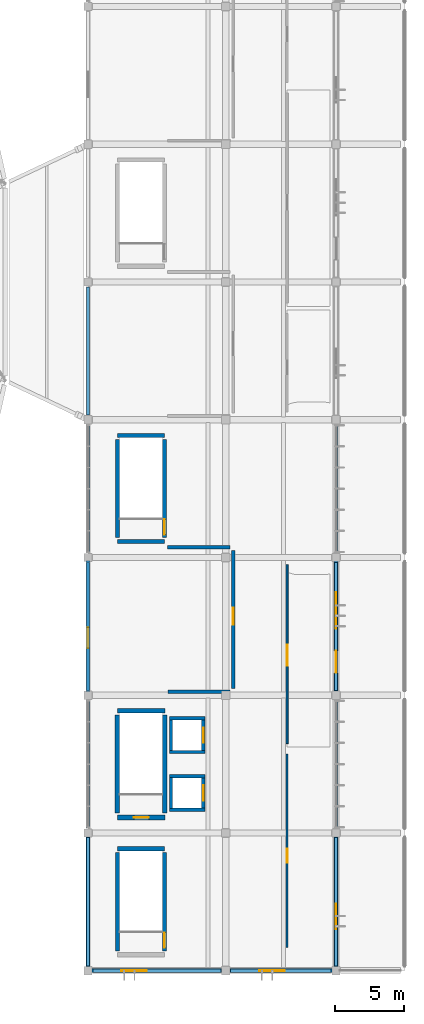
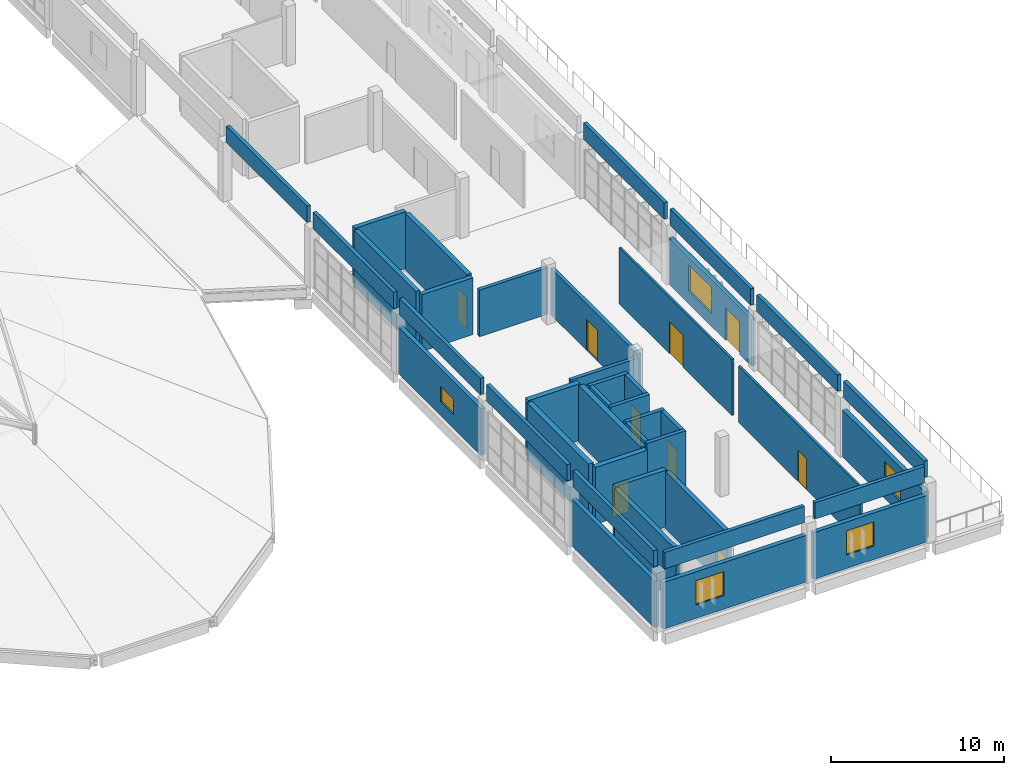
# One storey, part 31 of 39: 41 walls, 9 doors, 5 windows, 14 openings.
"""IFC4 building model written with IfcOpenShell, lengths in metres."""

from ifc_helpers import new_model, si_unit, direction, frame, frame_2d, origin, place, context, subcontext, project, spatial, rectangle, extrude, material, layer, layer_set, type_object, element, fill, save


model = new_model("IFC4")

# Units and contexts
model_context = context("Model", 3, precision=1e-05, world=origin(), true_north=direction((0.0, 1.0)))
body_context = subcontext(model_context, "Body", "Model", "MODEL_VIEW")
ifc_project = project(units=[si_unit("LENGTHUNIT", "METRE"), si_unit("AREAUNIT", "SQUARE_METRE"), si_unit("VOLUMEUNIT", "CUBIC_METRE"), si_unit("PLANEANGLEUNIT", "RADIAN"), si_unit("MASSUNIT", "GRAM", prefix="KILO")], contexts=[model_context])

# Site, building, storey
site_placement = place(None, origin())
site = spatial("IfcSite", under=ifc_project, at=site_placement, CompositionType="ELEMENT")
building_placement = place(site_placement, origin())
building = spatial("IfcBuilding", under=site, at=building_placement, Name="Corvandel Quay Wholesale Market", CompositionType="ELEMENT")
storey_placement = place(building_placement, frame((0.0, 0.0, 15.0)))
storey = spatial("IfcBuildingStorey", under=building, at=storey_placement, Name="L03", CompositionType="ELEMENT", Elevation=15.0)

# Wall, opening, window
ifc_material_1 = material(Name="Buff-pigmented precast concrete C45/55", Category="concrete")
ifc_layer_1 = layer(ifc_material_1, 0.280029296875)
ifc_layer_set_1 = layer_set([ifc_layer_1], Name="Buff-pigmented precast concrete C45/55")
wall_type_1 = type_object("IfcWallType", Name="Colonnade Spandrel Precast Wall EW07 280", PredefinedType="SOLIDWALL", material=ifc_layer_set_1)
wall_1_placement = place(storey_placement, frame((238.0, 10.219970703125, 0.0), z_axis=(0.0, 0.0, 1.0), x_axis=(0.0, 1.0, 0.0)))
wall_1 = element("IfcWall", 1, at=wall_1_placement, inside=storey, type_object=wall_type_1, Name="Exterior Wall EW-0382", PredefinedType="SOLIDWALL", context=body_context, shape_type="SweptSolid", body=[
    extrude(rectangle(XDim=9.56005859375, YDim=0.280029296875, at=frame_2d((4.780029296875, 0.0))), origin(), (0.0, 0.0, 1.0), 3.280029296875),
])
opening_1_placement = place(wall_1_placement, frame((2.800048828125, 0.0, 0.89990234375)))
opening_1 = element("IfcOpeningElement", 2, at=opening_1_placement, cuts=wall_1, Name="Opening L03-W006", PredefinedType="OPENING", context=body_context, shape_type="SweptSolid", body=[
    extrude(rectangle(XDim=1.85009765625, YDim=1.699951171875, at=frame_2d((0.925048828125, 0.85009765625))), frame((0.0, 0.14990234375, 0.0), z_axis=(0.0, -1.0, 0.0), x_axis=(1.0, 0.0, 0.0)), (0.0, 0.0, 1.0), 0.300048828125),
])
ifc_material_2 = material(Name="Thermally broken bronze anodised aluminium and solar-control low-E double glazing", Category="aluminium")
window_type_1 = type_object("IfcWindowType", Name="Superintendent Suite Window WN20 1850x1700", PartitioningType="SINGLE_PANEL", PredefinedType="WINDOW", material=ifc_material_2)
window_1_placement = place(opening_1_placement, origin())
window_1 = element("IfcWindow", 3, at=window_1_placement, inside=storey, type_object=window_type_1, Name="Window L03-W006", OverallHeight=1.699951171875, OverallWidth=1.85009765625, PartitioningType="SINGLE_PANEL", PredefinedType="WINDOW", context=body_context, shape_type="SweptSolid", body=[
    extrude(rectangle(XDim=1.85009765625, YDim=1.699951171875, at=frame_2d((0.925048828125, 0.85009765625))), frame((0.0, 0.030029296875, 0.0), z_axis=(0.0, -1.0, 0.0), x_axis=(1.0, 0.0, 0.0)), (0.0, 0.0, 1.0), 0.06005859375),
])
fill(opening_1, window_1)

# Wall
wall_2_placement = place(storey_placement, frame((220.0, 10.219970703125, 0.0), z_axis=(0.0, 0.0, 1.0), x_axis=(0.0, 1.0, 0.0)))
element("IfcWall", 4, at=wall_2_placement, inside=storey, type_object=wall_type_1, Name="Exterior Wall EW-0383", PredefinedType="SOLIDWALL", context=body_context, shape_type="SweptSolid", body=[
    extrude(rectangle(XDim=9.56005859375, YDim=0.280029296875, at=frame_2d((4.780029296875, 0.0))), origin(), (0.0, 0.0, 1.0), 3.280029296875),
])

# Wall, openings, window, door
wall_3_placement = place(storey_placement, frame((238.0, 30.219970703125, 0.0), z_axis=(0.0, 0.0, 1.0), x_axis=(0.0, 1.0, 0.0)))
wall_3 = element("IfcWall", 5, at=wall_3_placement, inside=storey, type_object=wall_type_1, Name="Exterior Wall EW-0384", PredefinedType="SOLIDWALL", context=body_context, shape_type="SweptSolid", body=[
    extrude(rectangle(XDim=9.56005859375, YDim=0.280029296875, at=frame_2d((4.780029296875, 0.0))), origin(), (0.0, 0.0, 1.0), 3.280029296875),
])
opening_2_placement = place(wall_3_placement, frame((1.39990234375, 0.0, 0.0)))
opening_2 = element("IfcOpeningElement", 6, at=opening_2_placement, cuts=wall_3, Name="Opening L03-D001", PredefinedType="OPENING", context=body_context, shape_type="SweptSolid", body=[
    extrude(rectangle(XDim=1.60009765625, YDim=2.300048828125, at=frame_2d((0.800048828125, 1.14990234375))), frame((0.0, 0.14990234375, 0.0), z_axis=(0.0, -1.0, 0.0), x_axis=(1.0, 0.0, 0.0)), (0.0, 0.0, 1.0), 0.300048828125),
])
opening_3_placement = place(wall_3_placement, frame((4.60009765625, 0.0, 0.89990234375)))
opening_3 = element("IfcOpeningElement", 7, at=opening_3_placement, cuts=wall_3, Name="Opening L03-W007", PredefinedType="OPENING", context=body_context, shape_type="SweptSolid", body=[
    extrude(rectangle(XDim=2.64990234375, YDim=1.85009765625, at=frame_2d((1.324951171875, 0.925048828125))), frame((0.0, 0.14990234375, 0.0), z_axis=(0.0, -1.0, 0.0), x_axis=(1.0, 0.0, 0.0)), (0.0, 0.0, 1.0), 0.300048828125),
])
window_type_2 = type_object("IfcWindowType", Name="Boardroom Panorama Window WN27 2650x1850", PartitioningType="SINGLE_PANEL", PredefinedType="WINDOW", material=ifc_material_2)
window_2_placement = place(opening_3_placement, origin())
window_2 = element("IfcWindow", 8, at=window_2_placement, inside=storey, type_object=window_type_2, Name="Window L03-W007", OverallHeight=1.85009765625, OverallWidth=2.64990234375, PartitioningType="SINGLE_PANEL", PredefinedType="WINDOW", context=body_context, shape_type="SweptSolid", body=[
    extrude(rectangle(XDim=2.64990234375, YDim=1.85009765625, at=frame_2d((1.324951171875, 0.925048828125))), frame((0.0, 0.030029296875, 0.0), z_axis=(0.0, -1.0, 0.0), x_axis=(1.0, 0.0, 0.0)), (0.0, 0.0, 1.0), 0.06005859375),
])
fill(opening_3, window_2)
ifc_material_3 = material(Name="Bronze anodised aluminium and low-E glass", Category="aluminium")
door_type_1 = type_object("IfcDoorType", Name="Terrace Garden Access Door ED04 1600x2300", OperationType="DOUBLE_DOOR_SINGLE_SWING", PredefinedType="DOOR", material=ifc_material_3)
door_1_placement = place(opening_2_placement, origin())
door_1 = element("IfcDoor", 9, at=door_1_placement, inside=storey, type_object=door_type_1, Name="Harbour Setback Terrace Door L03-30", OperationType="DOUBLE_DOOR_SINGLE_SWING", OverallHeight=2.300048828125, OverallWidth=1.60009765625, PredefinedType="DOOR", context=body_context, shape_type="SweptSolid", body=[
    extrude(rectangle(XDim=1.60009765625, YDim=2.300048828125, at=frame_2d((0.800048828125, 1.14990234375))), frame((0.0, 0.02490234375, 0.0), z_axis=(0.0, -1.0, 0.0), x_axis=(1.0, 0.0, 0.0)), (0.0, 0.0, 1.0), 0.050048828125),
])
fill(opening_2, door_1)

# Wall, opening, window
wall_4_placement = place(storey_placement, frame((220.0, 30.219970703125, 0.0), z_axis=(0.0, 0.0, 1.0), x_axis=(0.0, 1.0, 0.0)))
wall_4 = element("IfcWall", 10, at=wall_4_placement, inside=storey, type_object=wall_type_1, Name="Exterior Wall EW-0385", PredefinedType="SOLIDWALL", context=body_context, shape_type="SweptSolid", body=[
    extrude(rectangle(XDim=9.56005859375, YDim=0.280029296875, at=frame_2d((4.780029296875, 0.0))), origin(), (0.0, 0.0, 1.0), 3.280029296875),
])
opening_4_placement = place(wall_4_placement, frame((3.199951171875, 0.0, 0.949951171875)))
opening_4 = element("IfcOpeningElement", 11, at=opening_4_placement, cuts=wall_4, Name="Opening L03-W008", PredefinedType="OPENING", context=body_context, shape_type="SweptSolid", body=[
    extrude(rectangle(XDim=1.5, YDim=1.10009765625, at=frame_2d((0.75, 0.550048828125))), frame((0.0, 0.14990234375, 0.0), z_axis=(0.0, -1.0, 0.0), x_axis=(1.0, 0.0, 0.0)), (0.0, 0.0, 1.0), 0.300048828125),
])
window_type_3 = type_object("IfcWindowType", Name="Archive Security Clerestory WN29 1500x1100", PartitioningType="SINGLE_PANEL", PredefinedType="WINDOW", material=ifc_material_2)
window_3_placement = place(opening_4_placement, origin())
window_3 = element("IfcWindow", 12, at=window_3_placement, inside=storey, type_object=window_type_3, Name="Window L03-W008", OverallHeight=1.10009765625, OverallWidth=1.5, PartitioningType="SINGLE_PANEL", PredefinedType="WINDOW", context=body_context, shape_type="SweptSolid", body=[
    extrude(rectangle(XDim=1.5, YDim=1.10009765625, at=frame_2d((0.75, 0.550048828125))), frame((0.0, 0.030029296875, 0.0), z_axis=(0.0, -1.0, 0.0), x_axis=(1.0, 0.0, 0.0)), (0.0, 0.0, 1.0), 0.06005859375),
])
fill(opening_4, window_3)

wall_5_placement = place(storey_placement, frame((220.219970703125, 10.0, 0.0), z_axis=(0.0, 0.0, 1.0), x_axis=(1.0, 0.0, 0.0)))
wall_5 = element("IfcWall", 13, at=wall_5_placement, inside=storey, type_object=wall_type_1, Name="Exterior Wall EW-0390", PredefinedType="SOLIDWALL", context=body_context, shape_type="SweptSolid", body=[
    extrude(rectangle(XDim=9.56005859375, YDim=0.280029296875, at=frame_2d((4.780029296875, 0.0))), origin(), (0.0, 0.0, 1.0), 3.280029296875),
])
opening_5_placement = place(wall_5_placement, frame((2.199951171875, 0.0, 0.949951171875)))
opening_5 = element("IfcOpeningElement", 14, at=opening_5_placement, cuts=wall_5, Name="Opening L03-W013", PredefinedType="OPENING", context=body_context, shape_type="SweptSolid", body=[
    extrude(rectangle(XDim=1.85009765625, YDim=1.699951171875, at=frame_2d((0.925048828125, 0.85009765625))), frame((0.0, 0.14990234375, 0.0), z_axis=(0.0, -1.0, 0.0), x_axis=(1.0, 0.0, 0.0)), (0.0, 0.0, 1.0), 0.300048828125),
])
window_4_placement = place(opening_5_placement, origin())
window_4 = element("IfcWindow", 15, at=window_4_placement, inside=storey, type_object=window_type_1, Name="Window L03-W013", OverallHeight=1.699951171875, OverallWidth=1.85009765625, PartitioningType="SINGLE_PANEL", PredefinedType="WINDOW", context=body_context, shape_type="SweptSolid", body=[
    extrude(rectangle(XDim=1.85009765625, YDim=1.699951171875, at=frame_2d((0.925048828125, 0.85009765625))), frame((0.0, 0.030029296875, 0.0), z_axis=(0.0, -1.0, 0.0), x_axis=(1.0, 0.0, 0.0)), (0.0, 0.0, 1.0), 0.06005859375),
])
fill(opening_5, window_4)

wall_6_placement = place(storey_placement, frame((230.219970703125, 10.0, 0.0), z_axis=(0.0, 0.0, 1.0), x_axis=(1.0, 0.0, 0.0)))
wall_6 = element("IfcWall", 16, at=wall_6_placement, inside=storey, type_object=wall_type_1, Name="Exterior Wall EW-0392", PredefinedType="SOLIDWALL", context=body_context, shape_type="SweptSolid", body=[
    extrude(rectangle(XDim=7.56005859375, YDim=0.280029296875, at=frame_2d((3.780029296875, 0.0))), origin(), (0.0, 0.0, 1.0), 3.280029296875),
])
opening_6_placement = place(wall_6_placement, frame((2.199951171875, 0.0, 0.949951171875)))
opening_6 = element("IfcOpeningElement", 17, at=opening_6_placement, cuts=wall_6, Name="Opening L03-W015", PredefinedType="OPENING", context=body_context, shape_type="SweptSolid", body=[
    extrude(rectangle(XDim=1.85009765625, YDim=1.699951171875, at=frame_2d((0.925048828125, 0.85009765625))), frame((0.0, 0.14990234375, 0.0), z_axis=(0.0, -1.0, 0.0), x_axis=(1.0, 0.0, 0.0)), (0.0, 0.0, 1.0), 0.300048828125),
])
window_5_placement = place(opening_6_placement, origin())
window_5 = element("IfcWindow", 18, at=window_5_placement, inside=storey, type_object=window_type_1, Name="Window L03-W015", OverallHeight=1.699951171875, OverallWidth=1.85009765625, PartitioningType="SINGLE_PANEL", PredefinedType="WINDOW", context=body_context, shape_type="SweptSolid", body=[
    extrude(rectangle(XDim=1.85009765625, YDim=1.699951171875, at=frame_2d((0.925048828125, 0.85009765625))), frame((0.0, 0.030029296875, 0.0), z_axis=(0.0, -1.0, 0.0), x_axis=(1.0, 0.0, 0.0)), (0.0, 0.0, 1.0), 0.06005859375),
])
fill(opening_6, window_5)

# Wall, opening, door
ifc_material_4 = material(Name="Concrete C40/50", Category="concrete")
ifc_layer_2 = layer(ifc_material_4, 0.35009765625)
ifc_layer_set_2 = layer_set([ifc_layer_2], Name="Concrete C40/50")
wall_type_2 = type_object("IfcWallType", Name="Core Shear Wall SW01 350", PredefinedType="SHEAR", material=ifc_layer_set_2)
wall_7_placement = place(storey_placement, frame((222.125, 21.125, 0.0), z_axis=(0.0, 0.0, 1.0), x_axis=(1.0, 0.0, 0.0)))
wall_7 = element("IfcWall", 19, at=wall_7_placement, inside=storey, type_object=wall_type_2, Name="Shear Wall IW-0173", PredefinedType="SHEAR", context=body_context, shape_type="SweptSolid", body=[
    extrude(rectangle(XDim=3.449951171875, YDim=0.35009765625, at=frame_2d((1.72509765625, 0.0))), origin(), (0.0, 0.0, 1.0), 4.0),
])
opening_7_placement = place(wall_7_placement, frame((1.199951171875, 0.0, 0.0)))
opening_7 = element("IfcOpeningElement", 20, at=opening_7_placement, cuts=wall_7, Name="Opening L03-D004", PredefinedType="OPENING", context=body_context, shape_type="SweptSolid", body=[
    extrude(rectangle(XDim=1.10009765625, YDim=2.199951171875, at=frame_2d((0.550048828125, 1.10009765625))), frame((0.0, 0.18505859375, 0.0), z_axis=(0.0, -1.0, 0.0), x_axis=(1.0, 0.0, 0.0)), (0.0, 0.0, 1.0), 0.3701171875),
])
ifc_material_5 = material(Name="Galvanised fire-rated hollow steel", Category="steel")
door_type_2 = type_object("IfcDoorType", Name="Exit Stair Fire Door ID02 1100x2200R", OperationType="SINGLE_SWING_RIGHT", PredefinedType="DOOR", material=ifc_material_5)
door_2_placement = place(opening_7_placement, origin())
door_2 = element("IfcDoor", 21, at=door_2_placement, inside=storey, type_object=door_type_2, Name="Exit Stair Door SH16-L03", OperationType="SINGLE_SWING_RIGHT", OverallHeight=2.199951171875, OverallWidth=1.10009765625, PredefinedType="DOOR", context=body_context, shape_type="SweptSolid", body=[
    extrude(rectangle(XDim=1.10009765625, YDim=2.199951171875, at=frame_2d((0.550048828125, 1.10009765625))), frame((0.0, 0.02490234375, 0.0), z_axis=(0.0, -1.0, 0.0), x_axis=(1.0, 0.0, 0.0)), (0.0, 0.0, 1.0), 0.050048828125),
])
fill(opening_7, door_2)

# Walls
wall_8_placement = place(storey_placement, frame((222.125, 28.875, 0.0), z_axis=(0.0, 0.0, 1.0), x_axis=(1.0, 0.0, 0.0)))
element("IfcWall", 22, at=wall_8_placement, inside=storey, type_object=wall_type_2, Name="Shear Wall IW-0174", PredefinedType="SHEAR", context=body_context, shape_type="SweptSolid", body=[
    extrude(rectangle(XDim=3.449951171875, YDim=0.35009765625, at=frame_2d((1.72509765625, 0.0))), origin(), (0.0, 0.0, 1.0), 4.0),
])
for number, where, z_axis, x_axis, name in (
    (23, (222.125, 21.43994140625, 0.0), (0.0, 0.0, 1.0), (0.0, 1.0, 0.0), "Shear Wall IW-0175"),
    (24, (225.574951171875, 21.43994140625, 0.0), (0.0, 0.0, 1.0), (0.0, 1.0, 0.0), "Shear Wall IW-0176"),
):
    element("IfcWall", number, at=place(storey_placement, frame(where, z_axis=z_axis, x_axis=x_axis)), inside=storey, type_object=wall_type_2, Name=name, PredefinedType="SHEAR", context=body_context, shape_type="SweptSolid", body=[
        extrude(rectangle(XDim=7.1201171875, YDim=0.35009765625, at=frame_2d((3.56005859375, 0.0))), origin(), (0.0, 0.0, 1.0), 4.0),
    ])
ifc_material_6 = material(Name="Lightweight concrete blockwork", Category="masonry")
ifc_layer_3 = layer(ifc_material_6, 0.239990234375)
ifc_layer_set_3 = layer_set([ifc_layer_3], Name="Lightweight concrete blockwork")
wall_type_3 = type_object("IfcWallType", Name="Fire Compartment Partition PT01 240", PredefinedType="PARTITIONING", material=ifc_layer_set_3)
wall_9_placement = place(storey_placement, frame((225.77001953125, 40.739990234375, 0.0), z_axis=(0.0, 0.0, 1.0), x_axis=(1.0, 0.0, 0.0)))
element("IfcWall", 25, at=wall_9_placement, inside=storey, type_object=wall_type_3, Name="Interior Wall IW-0912", PredefinedType="PARTITIONING", context=body_context, shape_type="SweptSolid", body=[
    extrude(rectangle(XDim=4.550048828125, YDim=0.239990234375, at=frame_2d((2.27490234375, 0.0))), origin(), (0.0, 0.0, 1.0), 3.280029296875),
])

# Wall, opening, door
wall_10_placement = place(storey_placement, frame((230.5400390625, 40.52001953125, 0.0), z_axis=(0.0, 0.0, 1.0), x_axis=(0.0, -1.0, 0.0)))
wall_10 = element("IfcWall", 26, at=wall_10_placement, inside=storey, type_object=wall_type_3, Name="Interior Wall IW-0913", PredefinedType="PARTITIONING", context=body_context, shape_type="SweptSolid", body=[
    extrude(rectangle(XDim=10.0400390625, YDim=0.239990234375, at=frame_2d((5.02001953125, 0.0))), origin(), (0.0, 0.0, 1.0), 3.280029296875),
])
opening_8_placement = place(wall_10_placement, frame((4.169921875, 0.0, 0.0)))
opening_8 = element("IfcOpeningElement", 27, at=opening_8_placement, cuts=wall_10, Name="Opening L03-D017", PredefinedType="OPENING", context=body_context, shape_type="SweptSolid", body=[
    extrude(rectangle(XDim=1.25, YDim=2.199951171875, at=frame_2d((0.625, 1.10009765625))), frame((0.0, 0.1298828125, 0.0), z_axis=(0.0, -1.0, 0.0), x_axis=(1.0, 0.0, 0.0)), (0.0, 0.0, 1.0), 0.260009765625),
])
door_type_3 = type_object("IfcDoorType", Name="Archive Rated Door ID22 1250x2200L", OperationType="SINGLE_SWING_LEFT", PredefinedType="DOOR", material=ifc_material_5)
door_3_placement = place(opening_8_placement, origin())
door_3 = element("IfcDoor", 28, at=door_3_placement, inside=storey, type_object=door_type_3, Name="Wholesale Market Archive Room Door", OperationType="SINGLE_SWING_LEFT", OverallHeight=2.199951171875, OverallWidth=1.25, PredefinedType="DOOR", context=body_context, shape_type="SweptSolid", body=[
    extrude(rectangle(XDim=1.25, YDim=2.199951171875, at=frame_2d((0.625, 1.10009765625))), frame((0.0, 0.02490234375, 0.0), z_axis=(0.0, -1.0, 0.0), x_axis=(1.0, 0.0, 0.0)), (0.0, 0.0, 1.0), 0.050048828125),
])
fill(opening_8, door_3)

# Walls
wall_11_placement = place(storey_placement, frame((230.320068359375, 30.260009765625, 0.0), z_axis=(0.0, 0.0, 1.0), x_axis=(-1.0, 0.0, 0.0)))
element("IfcWall", 29, at=wall_11_placement, inside=storey, type_object=wall_type_3, Name="Interior Wall IW-0914", PredefinedType="PARTITIONING", context=body_context, shape_type="SweptSolid", body=[
    extrude(rectangle(XDim=4.525146484375, YDim=0.239990234375, at=frame_2d((2.2626953125, 0.0))), origin(), (0.0, 0.0, 1.0), 3.280029296875),
])
ifc_layer_4 = layer(ifc_material_4, 0.25)
ifc_layer_set_4 = layer_set([ifc_layer_4], Name="Concrete C40/50")
wall_type_4 = type_object("IfcWallType", Name="Lift Shaft Shear Wall SW03 250", PredefinedType="SHEAR", material=ifc_layer_set_4)
for number, where, z_axis, x_axis, name in (
    (30, (225.89990234375, 21.675048828125, 0.0), (0.0, 0.0, 1.0), (1.0, 0.0, 0.0), "Shear Wall IW-0333"),
    (31, (225.89990234375, 24.125, 0.0), (0.0, 0.0, 1.0), (1.0, 0.0, 0.0), "Shear Wall IW-0334"),
):
    element("IfcWall", number, at=place(storey_placement, frame(where, z_axis=z_axis, x_axis=x_axis)), inside=storey, type_object=wall_type_4, Name=name, PredefinedType="SHEAR", context=body_context, shape_type="SweptSolid", body=[
        extrude(rectangle(XDim=2.60009765625, YDim=0.25, at=frame_2d((1.300048828125, 0.0))), origin(), (0.0, 0.0, 1.0), 4.0),
    ])
wall_12_placement = place(storey_placement, frame((226.02490234375, 21.7900390625, 0.0), z_axis=(0.0, 0.0, 1.0), x_axis=(0.0, 1.0, 0.0)))
element("IfcWall", 32, at=wall_12_placement, inside=storey, type_object=wall_type_4, Name="Shear Wall IW-0335", PredefinedType="SHEAR", context=body_context, shape_type="SweptSolid", body=[
    extrude(rectangle(XDim=2.219970703125, YDim=0.25, at=frame_2d((1.10986328125, 0.0))), origin(), (0.0, 0.0, 1.0), 4.0),
])

# Wall, opening, door
wall_13_placement = place(storey_placement, frame((228.375, 21.7900390625, 0.0), z_axis=(0.0, 0.0, 1.0), x_axis=(0.0, 1.0, 0.0)))
wall_13 = element("IfcWall", 33, at=wall_13_placement, inside=storey, type_object=wall_type_4, Name="Shear Wall IW-0336", PredefinedType="SHEAR", context=body_context, shape_type="SweptSolid", body=[
    extrude(rectangle(XDim=2.219970703125, YDim=0.25, at=frame_2d((1.10986328125, 0.0))), origin(), (0.0, 0.0, 1.0), 4.0),
])
opening_9_placement = place(wall_13_placement, frame((0.56005859375, 0.0, 0.0)))
opening_9 = element("IfcOpeningElement", 34, at=opening_9_placement, cuts=wall_13, Name="Opening LD-L03-009", PredefinedType="OPENING", context=body_context, shape_type="SweptSolid", body=[
    extrude(rectangle(XDim=1.10009765625, YDim=2.199951171875, at=frame_2d((0.550048828125, 1.10009765625))), frame((0.0, 0.135009765625, 0.0), z_axis=(0.0, -1.0, 0.0), x_axis=(1.0, 0.0, 0.0)), (0.0, 0.0, 1.0), 0.27001953125),
])
ifc_material_7 = material(Name="Brushed stainless steel", Category="steel")
door_type_4 = type_object("IfcDoorType", Name="Passenger Lift Landing Door LD01 1100x2200", OperationType="DOUBLE_DOOR_SLIDING", PredefinedType="DOOR", material=ifc_material_7)
door_4_placement = place(opening_9_placement, origin())
door_4 = element("IfcDoor", 35, at=door_4_placement, inside=storey, type_object=door_type_4, Name="Lift Landing Door LF-V5P1-L03", OperationType="DOUBLE_DOOR_SLIDING", OverallHeight=2.199951171875, OverallWidth=1.10009765625, PredefinedType="DOOR", context=body_context, shape_type="SweptSolid", body=[
    extrude(rectangle(XDim=1.10009765625, YDim=2.199951171875, at=frame_2d((0.550048828125, 1.10009765625))), frame((0.0, 0.02490234375, 0.0), z_axis=(0.0, -1.0, 0.0), x_axis=(1.0, 0.0, 0.0)), (0.0, 0.0, 1.0), 0.050048828125),
])
fill(opening_9, door_4)

# Walls
for number, where, z_axis, x_axis, name in (
    (36, (225.89990234375, 25.875, 0.0), (0.0, 0.0, 1.0), (1.0, 0.0, 0.0), "Shear Wall IW-0349"),
    (37, (225.89990234375, 28.324951171875, 0.0), (0.0, 0.0, 1.0), (1.0, 0.0, 0.0), "Shear Wall IW-0350"),
):
    element("IfcWall", number, at=place(storey_placement, frame(where, z_axis=z_axis, x_axis=x_axis)), inside=storey, type_object=wall_type_4, Name=name, PredefinedType="SHEAR", context=body_context, shape_type="SweptSolid", body=[
        extrude(rectangle(XDim=2.60009765625, YDim=0.25, at=frame_2d((1.300048828125, 0.0))), origin(), (0.0, 0.0, 1.0), 4.0),
    ])
wall_14_placement = place(storey_placement, frame((226.02490234375, 25.989990234375, 0.0), z_axis=(0.0, 0.0, 1.0), x_axis=(0.0, 1.0, 0.0)))
element("IfcWall", 38, at=wall_14_placement, inside=storey, type_object=wall_type_4, Name="Shear Wall IW-0351", PredefinedType="SHEAR", context=body_context, shape_type="SweptSolid", body=[
    extrude(rectangle(XDim=2.219970703125, YDim=0.25, at=frame_2d((1.10986328125, 0.0))), origin(), (0.0, 0.0, 1.0), 4.0),
])

# Wall, opening, door
wall_15_placement = place(storey_placement, frame((228.375, 25.989990234375, 0.0), z_axis=(0.0, 0.0, 1.0), x_axis=(0.0, 1.0, 0.0)))
wall_15 = element("IfcWall", 39, at=wall_15_placement, inside=storey, type_object=wall_type_4, Name="Shear Wall IW-0352", PredefinedType="SHEAR", context=body_context, shape_type="SweptSolid", body=[
    extrude(rectangle(XDim=2.219970703125, YDim=0.25, at=frame_2d((1.10986328125, 0.0))), origin(), (0.0, 0.0, 1.0), 4.0),
])
opening_10_placement = place(wall_15_placement, frame((0.56005859375, 0.0, 0.0)))
opening_10 = element("IfcOpeningElement", 40, at=opening_10_placement, cuts=wall_15, Name="Opening LD-L03-010", PredefinedType="OPENING", context=body_context, shape_type="SweptSolid", body=[
    extrude(rectangle(XDim=1.10009765625, YDim=2.199951171875, at=frame_2d((0.550048828125, 1.10009765625))), frame((0.0, 0.135009765625, 0.0), z_axis=(0.0, -1.0, 0.0), x_axis=(1.0, 0.0, 0.0)), (0.0, 0.0, 1.0), 0.27001953125),
])
door_5_placement = place(opening_10_placement, origin())
door_5 = element("IfcDoor", 41, at=door_5_placement, inside=storey, type_object=door_type_4, Name="Lift Landing Door LF-V5P2-L03", OperationType="DOUBLE_DOOR_SLIDING", OverallHeight=2.199951171875, OverallWidth=1.10009765625, PredefinedType="DOOR", context=body_context, shape_type="SweptSolid", body=[
    extrude(rectangle(XDim=1.10009765625, YDim=2.199951171875, at=frame_2d((0.550048828125, 1.10009765625))), frame((0.0, 0.02490234375, 0.0), z_axis=(0.0, -1.0, 0.0), x_axis=(1.0, 0.0, 0.0)), (0.0, 0.0, 1.0), 0.050048828125),
])
fill(opening_10, door_5)

ifc_material_8 = material(Name="Double-layer acoustic gypsum stud partition")
ifc_layer_5 = layer(ifc_material_8, 0.139892578125)
ifc_layer_set_5 = layer_set([ifc_layer_5], Name="Double-layer acoustic gypsum stud partition")
wall_type_5 = type_object("IfcWallType", Name="Office Acoustic Partition PT07 140", PredefinedType="PARTITIONING", material=ifc_layer_set_5)
wall_16_placement = place(storey_placement, frame((234.4599609375, 11.669921875, 0.0), z_axis=(0.0, 0.0, 1.0), x_axis=(0.0, 1.0, 0.0)))
wall_16 = element("IfcWall", 42, at=wall_16_placement, inside=storey, type_object=wall_type_5, Name="Interior Wall IW-0906", PredefinedType="PARTITIONING", context=body_context, shape_type="SweptSolid", body=[
    extrude(rectangle(XDim=14.050048828125, YDim=0.139892578125, at=frame_2d((7.02490234375, 0.0))), origin(), (0.0, 0.0, 1.0), 3.9599609375),
])
opening_11_placement = place(wall_16_placement, frame((6.175048828125, 0.0, 0.0)))
opening_11 = element("IfcOpeningElement", 43, at=opening_11_placement, cuts=wall_16, Name="Opening L03-D011", PredefinedType="OPENING", context=body_context, shape_type="SweptSolid", body=[
    extrude(rectangle(XDim=1.0, YDim=2.199951171875, at=frame_2d((0.5, 1.10009765625))), frame((0.0, 0.079833984375, 0.0), z_axis=(0.0, -1.0, 0.0), x_axis=(1.0, 0.0, 0.0)), (0.0, 0.0, 1.0), 0.159912109375),
])
ifc_material_9 = material(Name="Stained oak solid-core acoustic timber", Category="wood")
door_type_5 = type_object("IfcDoorType", Name="Office Entry Door ID10 1000x2200R", OperationType="SINGLE_SWING_RIGHT", PredefinedType="DOOR", material=ifc_material_9)
door_6_placement = place(opening_11_placement, origin())
door_6 = element("IfcDoor", 44, at=door_6_placement, inside=storey, type_object=door_type_5, Name="Market Superintendent Administration Door", OperationType="SINGLE_SWING_RIGHT", OverallHeight=2.199951171875, OverallWidth=1.0, PredefinedType="DOOR", context=body_context, shape_type="SweptSolid", body=[
    extrude(rectangle(XDim=1.0, YDim=2.199951171875, at=frame_2d((0.5, 1.10009765625))), frame((0.0, 0.02490234375, 0.0), z_axis=(0.0, -1.0, 0.0), x_axis=(1.0, 0.0, 0.0)), (0.0, 0.0, 1.0), 0.050048828125),
])
fill(opening_11, door_6)

wall_17_placement = place(storey_placement, frame((234.4599609375, 26.47998046875, 0.0), z_axis=(0.0, 0.0, 1.0), x_axis=(0.0, 1.0, 0.0)))
wall_17 = element("IfcWall", 45, at=wall_17_placement, inside=storey, type_object=wall_type_5, Name="Interior Wall IW-0907", PredefinedType="PARTITIONING", context=body_context, shape_type="SweptSolid", body=[
    extrude(rectangle(XDim=12.99365234375, YDim=0.139892578125, at=frame_2d((6.496826171875, 0.0))), origin(), (0.0, 0.0, 1.0), 3.9599609375),
])
opening_12_placement = place(wall_17_placement, frame((5.64697265625, 0.0, 0.0)))
opening_12 = element("IfcOpeningElement", 46, at=opening_12_placement, cuts=wall_17, Name="Opening L03-D012", PredefinedType="OPENING", context=body_context, shape_type="SweptSolid", body=[
    extrude(rectangle(XDim=1.550048828125, YDim=2.25, at=frame_2d((0.77490234375, 1.125))), frame((0.0, 0.079833984375, 0.0), z_axis=(0.0, -1.0, 0.0), x_axis=(1.0, 0.0, 0.0)), (0.0, 0.0, 1.0), 0.159912109375),
])
ifc_material_10 = material(Name="Stained oak solid-core timber", Category="wood")
door_type_6 = type_object("IfcDoorType", Name="Boardroom Double Door ID19 1550x2250", OperationType="DOUBLE_DOOR_SINGLE_SWING", PredefinedType="DOOR", material=ifc_material_10)
door_7_placement = place(opening_12_placement, origin())
door_7 = element("IfcDoor", 47, at=door_7_placement, inside=storey, type_object=door_type_6, Name="Wholesale Trade Boardroom Door", OperationType="DOUBLE_DOOR_SINGLE_SWING", OverallHeight=2.25, OverallWidth=1.550048828125, PredefinedType="DOOR", context=body_context, shape_type="SweptSolid", body=[
    extrude(rectangle(XDim=1.550048828125, YDim=2.25, at=frame_2d((0.77490234375, 1.125))), frame((0.0, 0.02490234375, 0.0), z_axis=(0.0, -1.0, 0.0), x_axis=(1.0, 0.0, 0.0)), (0.0, 0.0, 1.0), 0.050048828125),
])
fill(opening_12, door_7)

# Walls
ifc_material_11 = material(Name="White precast concrete C45/55", Category="concrete")
ifc_layer_6 = layer(ifc_material_11, 0.239990234375)
ifc_layer_set_6 = layer_set([ifc_layer_6], Name="White precast concrete C45/55")
wall_type_6 = type_object("IfcWallType", Name="Roof Precast Parapet Wall PP01 240", PredefinedType="PARAPET", material=ifc_layer_set_6)
wall_18_placement = place(storey_placement, frame((220.35009765625, 10.0, 4.199951171875), z_axis=(0.0, 0.0, 1.0), x_axis=(1.0, 0.0, 0.0)))
element("IfcWall", 48, at=wall_18_placement, inside=storey, type_object=wall_type_6, Name="Exterior Wall EW-0394", PredefinedType="PARAPET", context=body_context, shape_type="SweptSolid", body=[
    extrude(rectangle(XDim=9.2998046875, YDim=0.239990234375, at=frame_2d((4.64990234375, 0.0))), origin(), (0.0, 0.0, 1.0), 1.150146484375),
])
wall_19_placement = place(storey_placement, frame((230.35009765625, 10.0, 4.199951171875), z_axis=(0.0, 0.0, 1.0), x_axis=(1.0, 0.0, 0.0)))
element("IfcWall", 49, at=wall_19_placement, inside=storey, type_object=wall_type_6, Name="Exterior Wall EW-0396", PredefinedType="PARAPET", context=body_context, shape_type="SweptSolid", body=[
    extrude(rectangle(XDim=7.2998046875, YDim=0.239990234375, at=frame_2d((3.64990234375, 0.0))), origin(), (0.0, 0.0, 1.0), 1.150146484375),
])
for number, where, z_axis, x_axis, name in (
    (50, (220.0, 10.35009765625, 4.199951171875), (0.0, 0.0, 1.0), (0.0, 1.0, 0.0), "Exterior Wall EW-0398"),
    (51, (238.0, 10.35009765625, 4.199951171875), (0.0, 0.0, 1.0), (0.0, 1.0, 0.0), "Exterior Wall EW-0399"),
    (52, (220.0, 20.35009765625, 4.199951171875), (0.0, 0.0, 1.0), (0.0, 1.0, 0.0), "Exterior Wall EW-0400"),
    (53, (238.0, 20.35009765625, 4.199951171875), (0.0, 0.0, 1.0), (0.0, 1.0, 0.0), "Exterior Wall EW-0401"),
    (54, (220.0, 30.35009765625, 4.199951171875), (0.0, 0.0, 1.0), (0.0, 1.0, 0.0), "Exterior Wall EW-0402"),
    (55, (238.0, 30.35009765625, 4.199951171875), (0.0, 0.0, 1.0), (0.0, 1.0, 0.0), "Exterior Wall EW-0403"),
    (56, (220.0, 40.35009765625, 4.199951171875), (0.0, 0.0, 1.0), (0.0, 1.0, 0.0), "Exterior Wall EW-0404"),
    (57, (238.0, 40.35009765625, 4.199951171875), (0.0, 0.0, 1.0), (0.0, 1.0, 0.0), "Exterior Wall EW-0405"),
    (58, (220.0, 50.35009765625, 4.199951171875), (0.0, 0.0, 1.0), (0.0, 1.0, 0.0), "Exterior Wall EW-0406"),
):
    element("IfcWall", number, at=place(storey_placement, frame(where, z_axis=z_axis, x_axis=x_axis)), inside=storey, type_object=wall_type_6, Name=name, PredefinedType="PARAPET", context=body_context, shape_type="SweptSolid", body=[
        extrude(rectangle(XDim=9.2998046875, YDim=0.239990234375, at=frame_2d((4.64990234375, 0.0))), origin(), (0.0, 0.0, 1.0), 1.150146484375),
    ])
ifc_layer_7 = layer(ifc_material_4, 0.300048828125)
ifc_layer_set_7 = layer_set([ifc_layer_7], Name="Concrete C40/50")
wall_type_7 = type_object("IfcWallType", Name="Stair Shaft Shear Wall SW02 300", PredefinedType="SHEAR", material=ifc_layer_set_7)
for number, where, z_axis, x_axis, name in (
    (59, (222.14990234375, 41.14990234375, 0.0), (0.0, 0.0, 1.0), (1.0, 0.0, 0.0), "Shear Wall IW-0189"),
    (60, (222.14990234375, 48.85009765625, 0.0), (0.0, 0.0, 1.0), (1.0, 0.0, 0.0), "Shear Wall IW-0190"),
):
    element("IfcWall", number, at=place(storey_placement, frame(where, z_axis=z_axis, x_axis=x_axis)), inside=storey, type_object=wall_type_7, Name=name, PredefinedType="SHEAR", context=body_context, shape_type="SweptSolid", body=[
        extrude(rectangle(XDim=3.400146484375, YDim=0.300048828125, at=frame_2d((1.7001953125, 0.0))), origin(), (0.0, 0.0, 1.0), 4.0),
    ])
wall_20_placement = place(storey_placement, frame((222.14990234375, 41.43994140625, 0.0), z_axis=(0.0, 0.0, 1.0), x_axis=(0.0, 1.0, 0.0)))
element("IfcWall", 61, at=wall_20_placement, inside=storey, type_object=wall_type_7, Name="Shear Wall IW-0191", PredefinedType="SHEAR", context=body_context, shape_type="SweptSolid", body=[
    extrude(rectangle(XDim=7.1201171875, YDim=0.300048828125, at=frame_2d((3.56005859375, 0.0))), origin(), (0.0, 0.0, 1.0), 4.0),
])

# Wall, opening, door
wall_21_placement = place(storey_placement, frame((225.550048828125, 41.43994140625, 0.0), z_axis=(0.0, 0.0, 1.0), x_axis=(0.0, 1.0, 0.0)))
wall_21 = element("IfcWall", 62, at=wall_21_placement, inside=storey, type_object=wall_type_7, Name="Shear Wall IW-0192", PredefinedType="SHEAR", context=body_context, shape_type="SweptSolid", body=[
    extrude(rectangle(XDim=7.1201171875, YDim=0.300048828125, at=frame_2d((3.56005859375, 0.0))), origin(), (0.0, 0.0, 1.0), 4.0),
])
opening_13_placement = place(wall_21_placement, frame((0.219970703125, 0.0, 0.0)))
opening_13 = element("IfcOpeningElement", 63, at=opening_13_placement, cuts=wall_21, Name="Opening L03-D005", PredefinedType="OPENING", context=body_context, shape_type="SweptSolid", body=[
    extrude(rectangle(XDim=1.10009765625, YDim=2.199951171875, at=frame_2d((0.550048828125, 1.10009765625))), frame((0.0, 0.159912109375, 0.0), z_axis=(0.0, -1.0, 0.0), x_axis=(1.0, 0.0, 0.0)), (0.0, 0.0, 1.0), 0.320068359375),
])
door_8_placement = place(opening_13_placement, origin())
door_8 = element("IfcDoor", 64, at=door_8_placement, inside=storey, type_object=door_type_2, Name="Exit Stair Door SH17-L03", OperationType="SINGLE_SWING_RIGHT", OverallHeight=2.199951171875, OverallWidth=1.10009765625, PredefinedType="DOOR", context=body_context, shape_type="SweptSolid", body=[
    extrude(rectangle(XDim=1.10009765625, YDim=2.199951171875, at=frame_2d((0.550048828125, 1.10009765625))), frame((0.0, 0.02490234375, 0.0), z_axis=(0.0, -1.0, 0.0), x_axis=(1.0, 0.0, 0.0)), (0.0, 0.0, 1.0), 0.050048828125),
])
fill(opening_13, door_8)

# Walls
wall_22_placement = place(storey_placement, frame((222.14990234375, 18.85009765625, 0.0), z_axis=(0.0, 0.0, 1.0), x_axis=(1.0, 0.0, 0.0)))
element("IfcWall", 65, at=wall_22_placement, inside=storey, type_object=wall_type_7, Name="Shear Wall IW-0222", PredefinedType="SHEAR", context=body_context, shape_type="SweptSolid", body=[
    extrude(rectangle(XDim=3.400146484375, YDim=0.300048828125, at=frame_2d((1.7001953125, 0.0))), origin(), (0.0, 0.0, 1.0), 4.0),
])
wall_23_placement = place(storey_placement, frame((222.14990234375, 11.43994140625, 0.0), z_axis=(0.0, 0.0, 1.0), x_axis=(0.0, 1.0, 0.0)))
element("IfcWall", 66, at=wall_23_placement, inside=storey, type_object=wall_type_7, Name="Shear Wall IW-0223", PredefinedType="SHEAR", context=body_context, shape_type="SweptSolid", body=[
    extrude(rectangle(XDim=7.1201171875, YDim=0.300048828125, at=frame_2d((3.56005859375, 0.0))), origin(), (0.0, 0.0, 1.0), 4.0),
])

# Wall, opening, door
wall_24_placement = place(storey_placement, frame((225.550048828125, 11.43994140625, 0.0), z_axis=(0.0, 0.0, 1.0), x_axis=(0.0, 1.0, 0.0)))
wall_24 = element("IfcWall", 67, at=wall_24_placement, inside=storey, type_object=wall_type_7, Name="Shear Wall IW-0224", PredefinedType="SHEAR", context=body_context, shape_type="SweptSolid", body=[
    extrude(rectangle(XDim=7.1201171875, YDim=0.300048828125, at=frame_2d((3.56005859375, 0.0))), origin(), (0.0, 0.0, 1.0), 4.0),
])
opening_14_placement = place(wall_24_placement, frame((0.219970703125, 0.0, 0.0)))
opening_14 = element("IfcOpeningElement", 68, at=opening_14_placement, cuts=wall_24, Name="Opening L03-D007", PredefinedType="OPENING", context=body_context, shape_type="SweptSolid", body=[
    extrude(rectangle(XDim=1.10009765625, YDim=2.199951171875, at=frame_2d((0.550048828125, 1.10009765625))), frame((0.0, 0.159912109375, 0.0), z_axis=(0.0, -1.0, 0.0), x_axis=(1.0, 0.0, 0.0)), (0.0, 0.0, 1.0), 0.320068359375),
])
door_9_placement = place(opening_14_placement, origin())
door_9 = element("IfcDoor", 69, at=door_9_placement, inside=storey, type_object=door_type_2, Name="Exit Stair Door SH19-L03", OperationType="SINGLE_SWING_RIGHT", OverallHeight=2.199951171875, OverallWidth=1.10009765625, PredefinedType="DOOR", context=body_context, shape_type="SweptSolid", body=[
    extrude(rectangle(XDim=1.10009765625, YDim=2.199951171875, at=frame_2d((0.550048828125, 1.10009765625))), frame((0.0, 0.02490234375, 0.0), z_axis=(0.0, -1.0, 0.0), x_axis=(1.0, 0.0, 0.0)), (0.0, 0.0, 1.0), 0.050048828125),
])
fill(opening_14, door_9)

save(model, "model.ifc")
